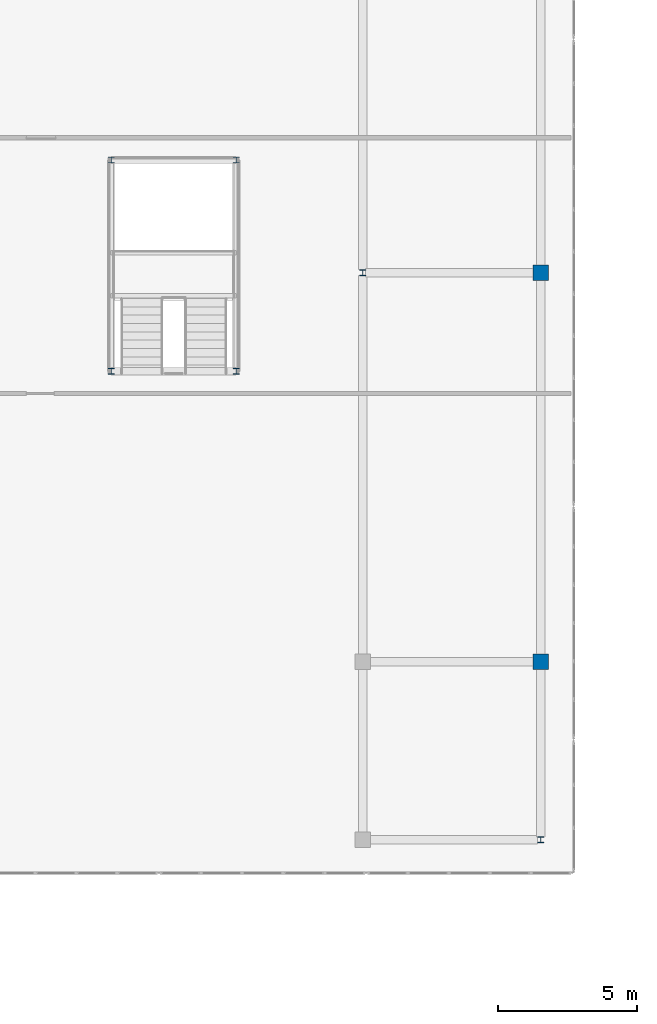
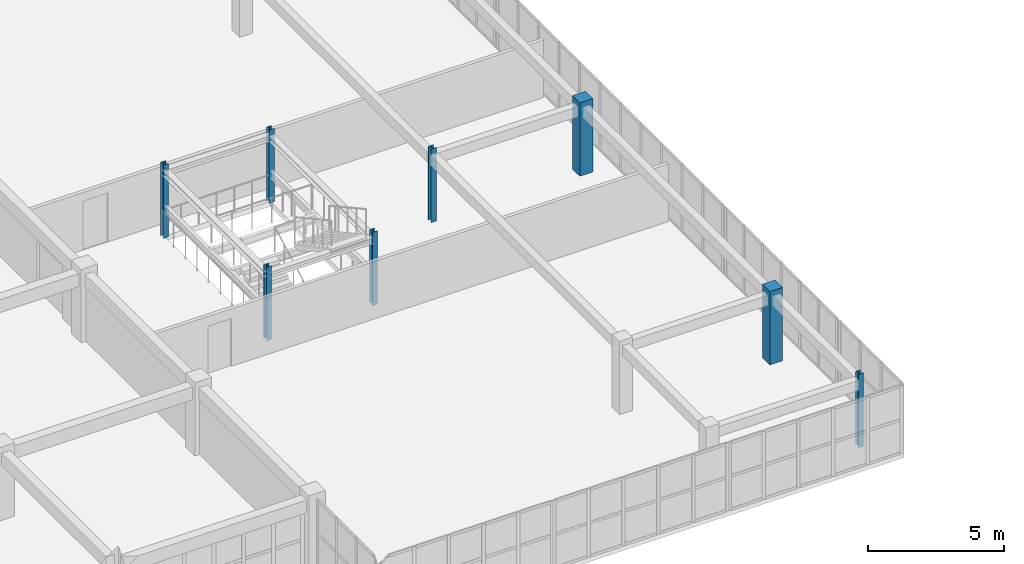
# One storey, part 6 of 148: 8 columns.
"""IFC4 building model written with IfcOpenShell, lengths in metres."""

from ifc_helpers import new_model, si_unit, direction, frame, origin, origin_2d, place, context, subcontext, project, spatial, rectangle, i_section, extrude, material, material_profile, profile_set, type_object, element, save


model = new_model("IFC4")

# Units and contexts
model_context = context("Model", 3, precision=1e-05, world=origin(), true_north=direction((0.0, 1.0)))
body_context = subcontext(model_context, "Body", "Model", "MODEL_VIEW")
ifc_project = project(units=[si_unit("LENGTHUNIT", "METRE"), si_unit("AREAUNIT", "SQUARE_METRE"), si_unit("VOLUMEUNIT", "CUBIC_METRE"), si_unit("PLANEANGLEUNIT", "RADIAN"), si_unit("MASSUNIT", "GRAM", prefix="KILO")], contexts=[model_context])

# Site, building, storey
site_placement = place(None, origin())
site = spatial("IfcSite", under=ifc_project, at=site_placement, CompositionType="ELEMENT")
building_placement = place(site_placement, origin())
building = spatial("IfcBuilding", under=site, at=building_placement, Name="Trelvath General Hospital", CompositionType="ELEMENT")
storey_placement = place(building_placement, frame((0.0, 0.0, 12.89990234375)))
storey = spatial("IfcBuildingStorey", under=building, at=storey_placement, Name="L03", CompositionType="ELEMENT", Elevation=12.89990234375)

# Columns
ifc_material_1 = material(Name="Concrete C40/50", Category="concrete")
ifc_material_profile_1 = material_profile(ifc_material_1, rectangle(XDim=0.550048828125, YDim=0.550048828125, at=origin_2d()), Name="RC550x550")
ifc_profile_set_1 = profile_set([ifc_material_profile_1], Name="Concrete C40/50")
column_type_1 = type_object("IfcColumnType", Name="Column RC550", PredefinedType="COLUMN", material=ifc_profile_set_1)
for number, where, z_axis, x_axis, name in (
    (1, (113.60009765625, 44.800048828125, 0.0), (0.0, 0.0, 1.0), (1.0, 0.0, 0.0), "Cube Interior Column CC-E07 L03"),
    (2, (113.60009765625, 58.800048828125, 0.0), (0.0, 0.0, 1.0), (1.0, 0.0, 0.0), "Cube Interior Column CC-E08 L03"),
):
    element("IfcColumn", number, at=place(storey_placement, frame(where, z_axis=z_axis, x_axis=x_axis)), inside=storey, type_object=column_type_1, Name=name, PredefinedType="COLUMN", context=body_context, shape_type="SweptSolid", body=[
        extrude(rectangle(XDim=0.550048828125, YDim=0.550048828125, at=origin_2d()), origin(), (0.0, 0.0, 1.0), 3.300048828125),
    ])
ifc_material_2 = material(Name="Steel S355", Category="steel")
ifc_material_profile_2 = material_profile(ifc_material_2, i_section(OverallWidth=0.219970703125, OverallDepth=0.219970703125, WebThickness=0.009521484375, FlangeThickness=0.01611328125, at=origin_2d()), Name="HEB220")
ifc_profile_set_2 = profile_set([ifc_material_profile_2], Name="Steel S355")
column_type_2 = type_object("IfcColumnType", Name="CubePost HEB220", PredefinedType="COLUMN", material=ifc_profile_set_2)
for number, where, z_axis, x_axis, name in (
    (3, (107.199951171875, 58.800048828125, 0.0), (0.0, 0.0, 1.0), (1.0, 0.0, 0.0), "Cube Interior Column CC-E03 L03"),
    (4, (113.60009765625, 38.39990234375, 0.0), (0.0, 0.0, 1.0), (1.0, 0.0, 0.0), "Cube Interior Column CC-E06 L03"),
):
    element("IfcColumn", number, at=place(storey_placement, frame(where, z_axis=z_axis, x_axis=x_axis)), inside=storey, type_object=column_type_2, Name=name, PredefinedType="COLUMN", context=body_context, shape_type="SweptSolid", body=[
        extrude(i_section(OverallWidth=0.219970703125, OverallDepth=0.219970703125, WebThickness=0.009521484375, FlangeThickness=0.01611328125, at=origin_2d()), origin(), (0.0, 0.0, 1.0), 3.300048828125),
    ])
ifc_material_3 = material(Name="Steel S355", Category="steel")
ifc_material_profile_3 = material_profile(ifc_material_3, i_section(OverallWidth=0.219970703125, OverallDepth=0.2099609375, WebThickness=0.007080078125, FlangeThickness=0.010986328125, at=origin_2d()), Name="HEA220")
ifc_profile_set_3 = profile_set([ifc_material_profile_3], Name="Steel S355")
column_type_3 = type_object("IfcColumnType", Name="StairPost HEA220", PredefinedType="COLUMN", material=ifc_profile_set_3)
for number, where, z_axis, x_axis, name in (
    (5, (98.14990234375, 55.25, 0.0), (0.0, 0.0, 1.0), (1.0, 0.0, 0.0), "Atrium Stair Post CUBE-E 1 L03"),
    (6, (102.64990234375, 55.25, 0.0), (0.0, 0.0, 1.0), (1.0, 0.0, 0.0), "Atrium Stair Post CUBE-E 2 L03"),
    (7, (98.14990234375, 62.85009765625, 0.0), (0.0, 0.0, 1.0), (1.0, 0.0, 0.0), "Atrium Stair Post CUBE-E 3 L03"),
    (8, (102.64990234375, 62.85009765625, 0.0), (0.0, 0.0, 1.0), (1.0, 0.0, 0.0), "Atrium Stair Post CUBE-E 4 L03"),
):
    element("IfcColumn", number, at=place(storey_placement, frame(where, z_axis=z_axis, x_axis=x_axis)), inside=storey, type_object=column_type_3, Name=name, PredefinedType="COLUMN", context=body_context, shape_type="SweptSolid", body=[
        extrude(i_section(OverallWidth=0.219970703125, OverallDepth=0.2099609375, WebThickness=0.007080078125, FlangeThickness=0.010986328125, at=origin_2d()), origin(), (0.0, 0.0, 1.0), 3.300048828125),
    ])

save(model, "model.ifc")
